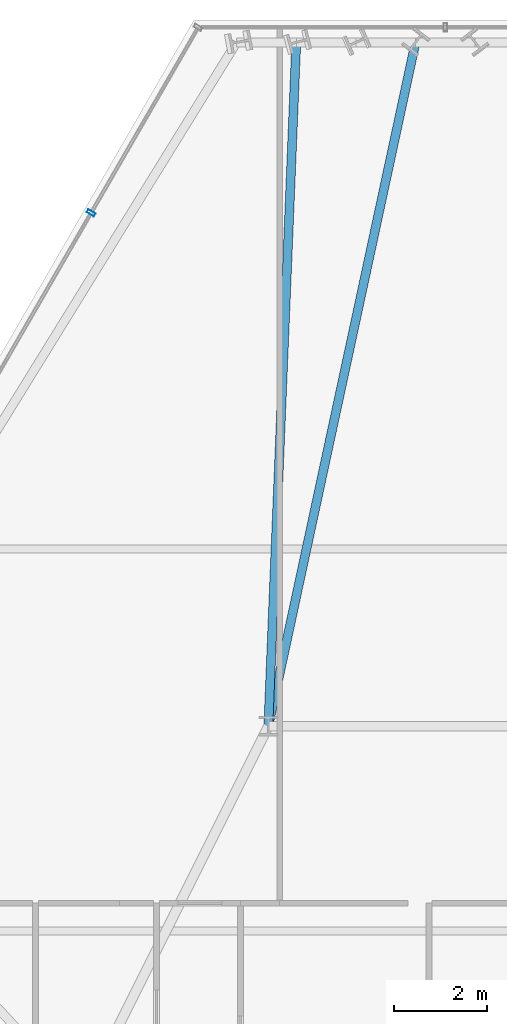
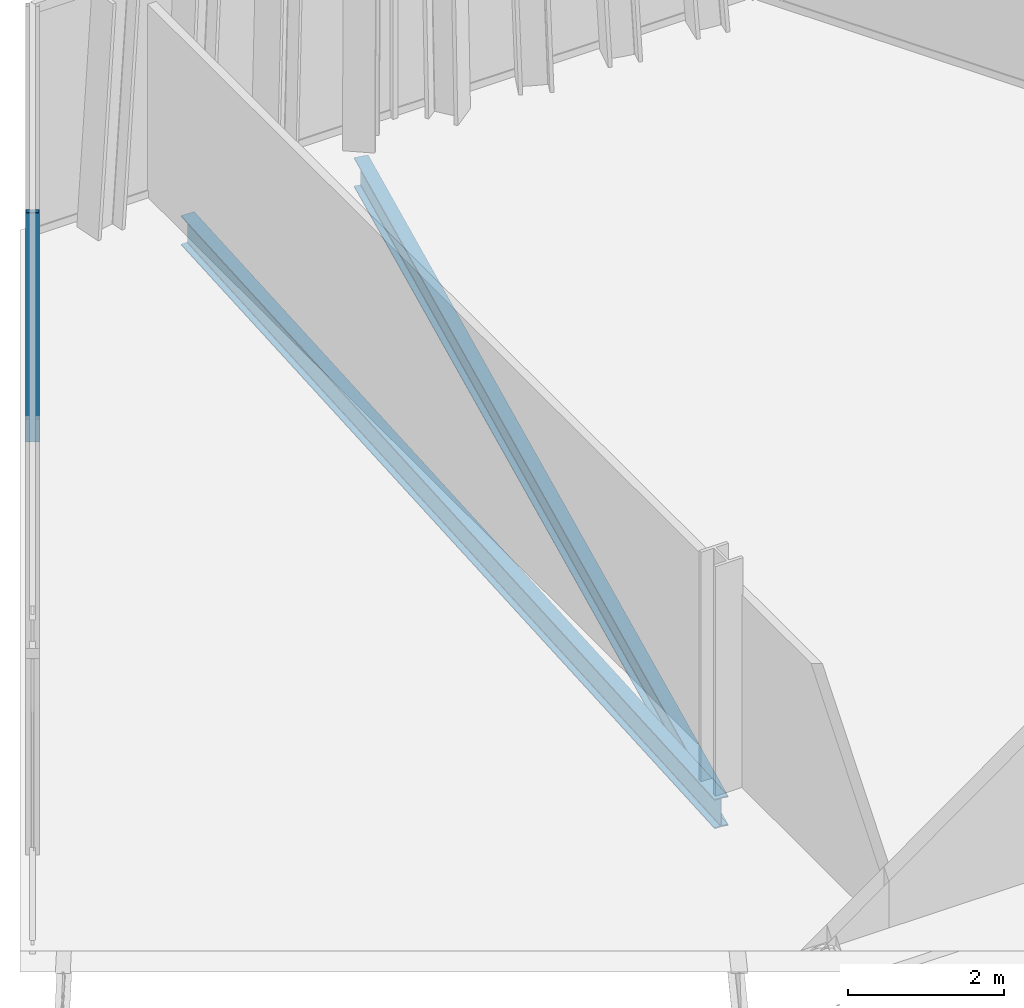
# One storey, part 22 of 33: 2 beams, 1 member, 1 element without a shape of its own.
"""IFC4 building model written with IfcOpenShell, lengths in metres."""

from ifc_helpers import new_model, si_unit, direction, frame, origin, origin_2d, place, context, subcontext, project, spatial, hollow_rectangle, i_section, extrude, material, layer, layer_set, material_profile, profile_set, type_object, element, aggregate, save


model = new_model("IFC4")

# Units and contexts
model_context = context("Model", 3, precision=1e-05, world=origin(), true_north=direction((0.0, 1.0)))
body_context = subcontext(model_context, "Body", "Model", "MODEL_VIEW")
ifc_project = project(units=[si_unit("LENGTHUNIT", "METRE"), si_unit("AREAUNIT", "SQUARE_METRE"), si_unit("VOLUMEUNIT", "CUBIC_METRE"), si_unit("PLANEANGLEUNIT", "RADIAN"), si_unit("MASSUNIT", "GRAM", prefix="KILO")], contexts=[model_context])

# Site, building, storey
site_placement = place(None, origin())
site = spatial("IfcSite", under=ifc_project, at=site_placement, CompositionType="ELEMENT")
building_placement = place(site_placement, origin())
building = spatial("IfcBuilding", under=site, at=building_placement, Name="Ndaravel Arena Tower", CompositionType="ELEMENT")
storey_placement = place(building_placement, frame((0.0, 0.0, 168.800048828125)))
storey = spatial("IfcBuildingStorey", under=building, at=storey_placement, Name="L40", CompositionType="ELEMENT", Elevation=168.800048828125)

# Beams
ifc_material_1 = material(Name="Steel S355", Category="steel")
ifc_material_profile_1 = material_profile(ifc_material_1, i_section(OverallWidth=0.19140625, OverallDepth=0.4599609375, WebThickness=0.010009765625, FlangeThickness=0.01611328125, FilletRadius=0.01025390625, at=origin_2d()), Name="UB 457x191x82")
ifc_profile_set_1 = profile_set([ifc_material_profile_1], Name="Steel S355")
beam_type = type_object("IfcBeamType", Name="BM-GIRD-UB457", PredefinedType="BEAM", material=ifc_profile_set_1)
beam_1_placement = place(storey_placement, frame((41.360107421875, 45.881591796875, -0.449951171875), z_axis=(-0.210426050317, -0.977609777646, 0.0), x_axis=(0.977609777646, -0.210426050317, 0.0)))
element("IfcBeam", 1, at=beam_1_placement, inside=storey, type_object=beam_type, Name="L40 Radial Floor Girder FG-15", PredefinedType="BEAM", context=body_context, shape_type="SweptSolid", body=[
    extrude(i_section(OverallWidth=0.19140625, OverallDepth=0.4599609375, WebThickness=0.010009765625, FlangeThickness=0.01611328125, FilletRadius=0.01025390625, at=origin_2d()), origin(), (0.0, 0.0, 1.0), 15.017822265625),
])
beam_2_placement = place(storey_placement, frame((38.7998046875, 45.881591796875, -0.449951171875), z_axis=(-0.040823330395, -0.999166380387, 0.0), x_axis=(0.999166380387, -0.040823330395, 0.0)))
element("IfcBeam", 2, at=beam_2_placement, inside=storey, type_object=beam_type, Name="L40 Radial Floor Girder FG-17", PredefinedType="BEAM", context=body_context, shape_type="SweptSolid", body=[
    extrude(i_section(OverallWidth=0.19140625, OverallDepth=0.4599609375, WebThickness=0.010009765625, FlangeThickness=0.01611328125, FilletRadius=0.01025390625, at=origin_2d()), origin(), (0.0, 0.0, 1.0), 14.69384765625),
])

# Curtain wall, member
ifc_material_2 = material(Name="Aluminium", Category="aluminium")
ifc_layer = layer(ifc_material_2, 0.179931640625)
ifc_layer_set = layer_set([ifc_layer], Name="Aluminium")
curtain_wall_type = type_object("IfcCurtainWallType", Name="CW-SYS-03", PredefinedType="NOTDEFINED", material=ifc_layer_set)
curtain_wall_placement = place(storey_placement, origin())
curtain_wall = element("IfcCurtainWall", 3, at=curtain_wall_placement, inside=storey, type_object=curtain_wall_type, Name="L40 Faceted Crystal Curtain Wall CW-L40-E05", PredefinedType="NOTDEFINED")
ifc_material_3 = material(Name="Aluminium", Category="aluminium")
ifc_material_profile_2 = material_profile(ifc_material_3, hollow_rectangle(XDim=0.074951171875, YDim=0.179931640625, WallThickness=0.00390625, at=origin_2d()), Name="CW MULLION 75x180x4")
ifc_profile_set_2 = profile_set([ifc_material_profile_2], Name="Aluminium")
member_type = type_object("IfcMemberType", Name="MEM-CW-MUL180", PredefinedType="MULLION", material=ifc_profile_set_2)
member_placement = place(storey_placement, frame((34.396240234375, 42.219970703125, 0.0), z_axis=(0.0, 0.0, 1.0), x_axis=(-0.5, -0.866025403784, 0.0)))
member = element("IfcMember", 4, at=member_placement, type_object=member_type, Name="CW-L40-E05 Mullion 01", PredefinedType="MULLION", context=body_context, shape_type="SweptSolid", body=[
    extrude(hollow_rectangle(XDim=0.074951171875, YDim=0.179931640625, WallThickness=0.00390625, at=origin_2d()), origin(), (0.0, 0.0, 1.0), 3.579833984375),
])
aggregate(curtain_wall, [member])

save(model, "model.ifc")
